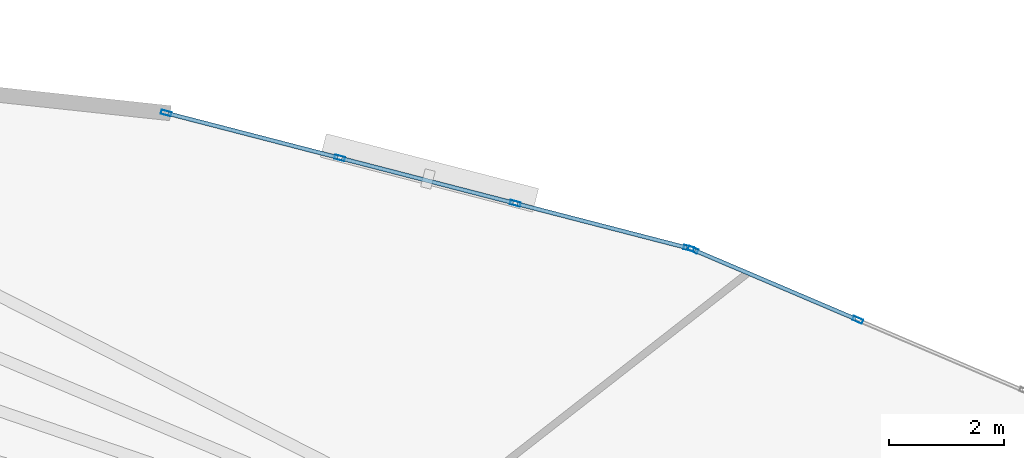
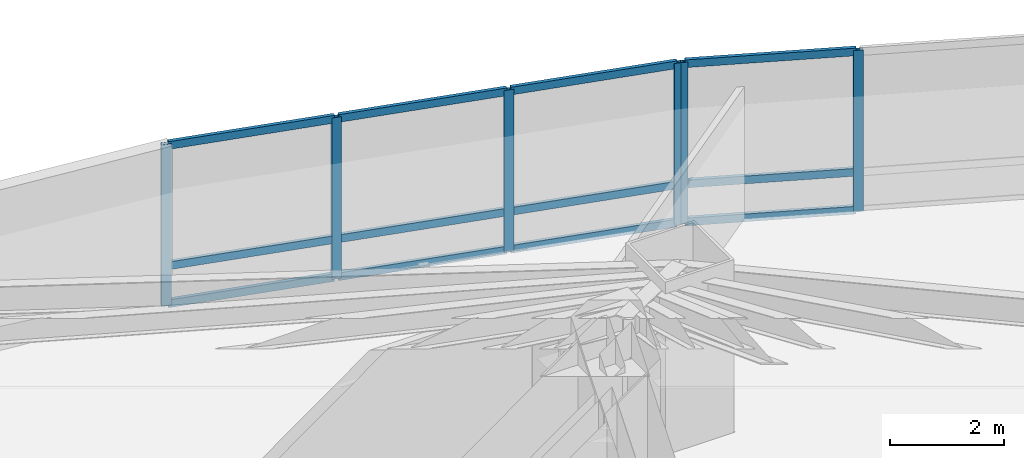
# One storey, part 10 of 20: 18 members, 2 elements without a shape of their own.
"""IFC4 building model written with IfcOpenShell, lengths in metres."""

from ifc_helpers import new_model, si_unit, direction, frame, origin, origin_2d, place, context, subcontext, project, spatial, hollow_rectangle, extrude, material, layer, layer_set, material_profile, profile_set, type_object, element, aggregate, save


model = new_model("IFC4")

# Units and contexts
model_context = context("Model", 3, precision=1e-05, world=origin(), true_north=direction((0.0, 1.0)))
body_context = subcontext(model_context, "Body", "Model", "MODEL_VIEW")
ifc_project = project(units=[si_unit("LENGTHUNIT", "METRE"), si_unit("AREAUNIT", "SQUARE_METRE"), si_unit("VOLUMEUNIT", "CUBIC_METRE"), si_unit("PLANEANGLEUNIT", "RADIAN"), si_unit("MASSUNIT", "GRAM", prefix="KILO")], contexts=[model_context])

# Site, building, storey
site_placement = place(None, origin())
site = spatial("IfcSite", under=ifc_project, at=site_placement, CompositionType="ELEMENT")
building_placement = place(site_placement, origin())
building = spatial("IfcBuilding", under=site, at=building_placement, Name="Menara Vayukalpa", CompositionType="ELEMENT")
storey_placement = place(building_placement, frame((0.0, 0.0, 57.360107421875)))
storey = spatial("IfcBuildingStorey", under=building, at=storey_placement, Name="L13", CompositionType="ELEMENT", Elevation=57.360107421875)

# Curtain wall, members
ifc_material_1 = material(Name="Anodised Terracotta Aluminium Alloy 6063-T6", Category="masonry")
ifc_layer = layer(ifc_material_1, 0.179931640625)
ifc_layer_set = layer_set([ifc_layer], Name="Anodised Terracotta Aluminium Alloy 6063-T6")
curtain_wall_type = type_object("IfcCurtainWallType", Name="CW-CW4", PredefinedType="USERDEFINED", material=ifc_layer_set)
curtain_wall_1_placement = place(storey_placement, origin())
curtain_wall_1 = element("IfcCurtainWall", 1, at=curtain_wall_1_placement, inside=storey, type_object=curtain_wall_type, Name="L13 Sky Bar Cantilever Glazed Curtain Wall CW4 04", ObjectType="UNITISED", PredefinedType="USERDEFINED")
ifc_material_2 = material(Name="Anodised Terracotta Aluminium Alloy 6063-T6", Category="masonry")
ifc_material_profile_1 = material_profile(ifc_material_2, hollow_rectangle(XDim=0.074951171875, YDim=0.179931640625, WallThickness=0.00390625, at=origin_2d()), Name="ALU 75x180x4")
ifc_profile_set_1 = profile_set([ifc_material_profile_1], Name="Anodised Terracotta Aluminium Alloy 6063-T6")
member_type_1 = type_object("IfcMemberType", Name="CWM-CW4", PredefinedType="MULLION", material=ifc_profile_set_1)
member_1_placement = place(storey_placement, frame((41.3125, 31.973388671875, 0.0), z_axis=(0.0, 0.0, 1.0), x_axis=(-0.392008132718, -0.919961751315, 0.0)))
member_1 = element("IfcMember", 2, at=member_1_placement, type_object=member_type_1, Name="CW4 mullion 3", PredefinedType="MULLION", context=body_context, shape_type="SweptSolid", body=[
    extrude(hollow_rectangle(XDim=0.074951171875, YDim=0.179931640625, WallThickness=0.00390625, at=origin_2d()), origin(), (0.0, 0.0, 1.0), 3.469970703125),
])
member_2_placement = place(storey_placement, frame((38.45458984375, 33.19140625, 0.0), z_axis=(0.0, 0.0, 1.0), x_axis=(-0.392008132718, -0.919961751315, 0.0)))
member_2 = element("IfcMember", 3, at=member_2_placement, type_object=member_type_1, Name="CW4 mullion 4", PredefinedType="MULLION", context=body_context, shape_type="SweptSolid", body=[
    extrude(hollow_rectangle(XDim=0.074951171875, YDim=0.179931640625, WallThickness=0.00390625, at=origin_2d()), origin(), (0.0, 0.0, 1.0), 3.469970703125),
])

curtain_wall_2_placement = place(storey_placement, origin())
curtain_wall_2 = element("IfcCurtainWall", 4, at=curtain_wall_2_placement, inside=storey, type_object=curtain_wall_type, Name="L13 Sky Bar Cantilever Glazed Curtain Wall CW4 05", ObjectType="UNITISED", PredefinedType="USERDEFINED")
member_3_placement = place(storey_placement, frame((38.3837890625, 33.21533203125, 0.0), z_axis=(0.0, 0.0, 1.0), x_axis=(-0.25040286747, -0.968141727209, 0.0)))
member_3 = element("IfcMember", 5, at=member_3_placement, type_object=member_type_1, Name="CW4 mullion 1", PredefinedType="MULLION", context=body_context, shape_type="SweptSolid", body=[
    extrude(hollow_rectangle(XDim=0.074951171875, YDim=0.179931640625, WallThickness=0.00390625, at=origin_2d()), origin(), (0.0, 0.0, 1.0), 3.469970703125),
])
member_4_placement = place(storey_placement, frame((35.376220703125, 33.993408203125, 0.0), z_axis=(0.0, 0.0, 1.0), x_axis=(-0.25040286747, -0.968141727209, 0.0)))
member_4 = element("IfcMember", 6, at=member_4_placement, type_object=member_type_1, Name="CW4 mullion 2", PredefinedType="MULLION", context=body_context, shape_type="SweptSolid", body=[
    extrude(hollow_rectangle(XDim=0.074951171875, YDim=0.179931640625, WallThickness=0.00390625, at=origin_2d()), origin(), (0.0, 0.0, 1.0), 3.469970703125),
])
member_5_placement = place(storey_placement, frame((32.332275390625, 34.780517578125, 0.0), z_axis=(0.0, 0.0, 1.0), x_axis=(-0.25040286747, -0.968141727209, 0.0)))
member_5 = element("IfcMember", 7, at=member_5_placement, type_object=member_type_1, Name="CW4 mullion 3", PredefinedType="MULLION", context=body_context, shape_type="SweptSolid", body=[
    extrude(hollow_rectangle(XDim=0.074951171875, YDim=0.179931640625, WallThickness=0.00390625, at=origin_2d()), origin(), (0.0, 0.0, 1.0), 3.469970703125),
])
member_6_placement = place(storey_placement, frame((29.324462890625, 35.55859375, 0.0), z_axis=(0.0, 0.0, 1.0), x_axis=(-0.25040286747, -0.968141727209, 0.0)))
member_6 = element("IfcMember", 8, at=member_6_placement, type_object=member_type_1, Name="CW4 mullion 4", PredefinedType="MULLION", context=body_context, shape_type="SweptSolid", body=[
    extrude(hollow_rectangle(XDim=0.074951171875, YDim=0.179931640625, WallThickness=0.00390625, at=origin_2d()), origin(), (0.0, 0.0, 1.0), 3.469970703125),
])

# Member
ifc_material_3 = material(Name="Anodised Terracotta Aluminium Alloy 6063-T6", Category="masonry")
ifc_material_profile_2 = material_profile(ifc_material_3, hollow_rectangle(XDim=0.070068359375, YDim=0.1650390625, WallThickness=0.00390625, at=origin_2d()), Name="ALU 70x165x4")
ifc_profile_set_2 = profile_set([ifc_material_profile_2], Name="Anodised Terracotta Aluminium Alloy 6063-T6")
member_type_2 = type_object("IfcMemberType", Name="CWT-CW4", PredefinedType="USERDEFINED", material=ifc_profile_set_2)
member_7_placement = place(storey_placement, frame((41.278076171875, 31.98828125, 0.034912109375), z_axis=(-0.919988490059, 0.391945376498, 0.0), x_axis=(-0.391945376498, -0.919988490059, 0.0)))
member_7 = element("IfcMember", 9, at=member_7_placement, type_object=member_type_2, Name="CW4 transom 3.1", ObjectType="TRANSOM", PredefinedType="USERDEFINED", context=body_context, shape_type="SweptSolid", body=[
    extrude(hollow_rectangle(XDim=0.070068359375, YDim=0.1650390625, WallThickness=0.00390625, at=origin_2d()), origin(), (0.0, 0.0, 1.0), 3.03173828125),
])

member_8_placement = place(storey_placement, frame((41.278076171875, 31.98828125, 0.849853515625), z_axis=(-0.919988490059, 0.391945376498, 0.0), x_axis=(-0.391945376498, -0.919988490059, 0.0)))
member_8 = element("IfcMember", 10, at=member_8_placement, type_object=member_type_2, Name="CW4 transom 3.2", ObjectType="TRANSOM", PredefinedType="USERDEFINED", context=body_context, shape_type="SweptSolid", body=[
    extrude(hollow_rectangle(XDim=0.070068359375, YDim=0.1650390625, WallThickness=0.00390625, at=origin_2d()), origin(), (0.0, 0.0, 1.0), 3.03173828125),
])

member_9_placement = place(storey_placement, frame((41.278076171875, 31.98828125, 3.434814453125), z_axis=(-0.919988490059, 0.391945376498, 0.0), x_axis=(-0.391945376498, -0.919988490059, 0.0)))
member_9 = element("IfcMember", 11, at=member_9_placement, type_object=member_type_2, Name="CW4 transom 3.3", ObjectType="TRANSOM", PredefinedType="USERDEFINED", context=body_context, shape_type="SweptSolid", body=[
    extrude(hollow_rectangle(XDim=0.070068359375, YDim=0.1650390625, WallThickness=0.00390625, at=origin_2d()), origin(), (0.0, 0.0, 1.0), 3.03173828125),
])

aggregate(curtain_wall_1, [member_1, member_2, member_7, member_8, member_9])

member_10_placement = place(storey_placement, frame((38.347412109375, 33.224853515625, 0.034912109375), z_axis=(-0.968149604166, 0.250372410527, 0.0), x_axis=(-0.250372410527, -0.968149604166, 0.0)))
member_10 = element("IfcMember", 12, at=member_10_placement, type_object=member_type_2, Name="CW4 transom 1.1", ObjectType="TRANSOM", PredefinedType="USERDEFINED", context=body_context, shape_type="SweptSolid", body=[
    extrude(hollow_rectangle(XDim=0.070068359375, YDim=0.1650390625, WallThickness=0.00390625, at=origin_2d()), origin(), (0.0, 0.0, 1.0), 3.03173828125),
])

member_11_placement = place(storey_placement, frame((38.347412109375, 33.224853515625, 0.849853515625), z_axis=(-0.968149604166, 0.250372410527, 0.0), x_axis=(-0.250372410527, -0.968149604166, 0.0)))
member_11 = element("IfcMember", 13, at=member_11_placement, type_object=member_type_2, Name="CW4 transom 1.2", ObjectType="TRANSOM", PredefinedType="USERDEFINED", context=body_context, shape_type="SweptSolid", body=[
    extrude(hollow_rectangle(XDim=0.070068359375, YDim=0.1650390625, WallThickness=0.00390625, at=origin_2d()), origin(), (0.0, 0.0, 1.0), 3.03173828125),
])

member_12_placement = place(storey_placement, frame((38.347412109375, 33.224853515625, 3.434814453125), z_axis=(-0.968149604166, 0.250372410527, 0.0), x_axis=(-0.250372410527, -0.968149604166, 0.0)))
member_12 = element("IfcMember", 14, at=member_12_placement, type_object=member_type_2, Name="CW4 transom 1.3", ObjectType="TRANSOM", PredefinedType="USERDEFINED", context=body_context, shape_type="SweptSolid", body=[
    extrude(hollow_rectangle(XDim=0.070068359375, YDim=0.1650390625, WallThickness=0.00390625, at=origin_2d()), origin(), (0.0, 0.0, 1.0), 3.03173828125),
])

member_13_placement = place(storey_placement, frame((35.33984375, 34.002685546875, 0.034912109375), z_axis=(-0.968140594701, 0.250407246086, 0.0), x_axis=(-0.250407246086, -0.968140594701, 0.0)))
member_13 = element("IfcMember", 15, at=member_13_placement, type_object=member_type_2, Name="CW4 transom 2.1", ObjectType="TRANSOM", PredefinedType="USERDEFINED", context=body_context, shape_type="SweptSolid", body=[
    extrude(hollow_rectangle(XDim=0.070068359375, YDim=0.1650390625, WallThickness=0.00390625, at=origin_2d()), origin(), (0.0, 0.0, 1.0), 3.0693359375),
])

member_14_placement = place(storey_placement, frame((35.33984375, 34.002685546875, 0.849853515625), z_axis=(-0.968140594701, 0.250407246086, 0.0), x_axis=(-0.250407246086, -0.968140594701, 0.0)))
member_14 = element("IfcMember", 16, at=member_14_placement, type_object=member_type_2, Name="CW4 transom 2.2", ObjectType="TRANSOM", PredefinedType="USERDEFINED", context=body_context, shape_type="SweptSolid", body=[
    extrude(hollow_rectangle(XDim=0.070068359375, YDim=0.1650390625, WallThickness=0.00390625, at=origin_2d()), origin(), (0.0, 0.0, 1.0), 3.0693359375),
])

member_15_placement = place(storey_placement, frame((35.33984375, 34.002685546875, 3.434814453125), z_axis=(-0.968140594701, 0.250407246086, 0.0), x_axis=(-0.250407246086, -0.968140594701, 0.0)))
member_15 = element("IfcMember", 17, at=member_15_placement, type_object=member_type_2, Name="CW4 transom 2.3", ObjectType="TRANSOM", PredefinedType="USERDEFINED", context=body_context, shape_type="SweptSolid", body=[
    extrude(hollow_rectangle(XDim=0.070068359375, YDim=0.1650390625, WallThickness=0.00390625, at=origin_2d()), origin(), (0.0, 0.0, 1.0), 3.0693359375),
])

member_16_placement = place(storey_placement, frame((32.2958984375, 34.7900390625, 0.034912109375), z_axis=(-0.968149604166, 0.250372410527, 0.0), x_axis=(-0.250372410527, -0.968149604166, 0.0)))
member_16 = element("IfcMember", 18, at=member_16_placement, type_object=member_type_2, Name="CW4 transom 3.1", ObjectType="TRANSOM", PredefinedType="USERDEFINED", context=body_context, shape_type="SweptSolid", body=[
    extrude(hollow_rectangle(XDim=0.070068359375, YDim=0.1650390625, WallThickness=0.00390625, at=origin_2d()), origin(), (0.0, 0.0, 1.0), 3.03173828125),
])

member_17_placement = place(storey_placement, frame((32.2958984375, 34.7900390625, 0.849853515625), z_axis=(-0.968149604166, 0.250372410527, 0.0), x_axis=(-0.250372410527, -0.968149604166, 0.0)))
member_17 = element("IfcMember", 19, at=member_17_placement, type_object=member_type_2, Name="CW4 transom 3.2", ObjectType="TRANSOM", PredefinedType="USERDEFINED", context=body_context, shape_type="SweptSolid", body=[
    extrude(hollow_rectangle(XDim=0.070068359375, YDim=0.1650390625, WallThickness=0.00390625, at=origin_2d()), origin(), (0.0, 0.0, 1.0), 3.03173828125),
])

member_18_placement = place(storey_placement, frame((32.2958984375, 34.7900390625, 3.434814453125), z_axis=(-0.968149604166, 0.250372410527, 0.0), x_axis=(-0.250372410527, -0.968149604166, 0.0)))
member_18 = element("IfcMember", 20, at=member_18_placement, type_object=member_type_2, Name="CW4 transom 3.3", ObjectType="TRANSOM", PredefinedType="USERDEFINED", context=body_context, shape_type="SweptSolid", body=[
    extrude(hollow_rectangle(XDim=0.070068359375, YDim=0.1650390625, WallThickness=0.00390625, at=origin_2d()), origin(), (0.0, 0.0, 1.0), 3.03173828125),
])

aggregate(curtain_wall_2, [member_3, member_4, member_5, member_6, member_10, member_11, member_12, member_13, member_14, member_15, member_16, member_17, member_18])

save(model, "model.ifc")
